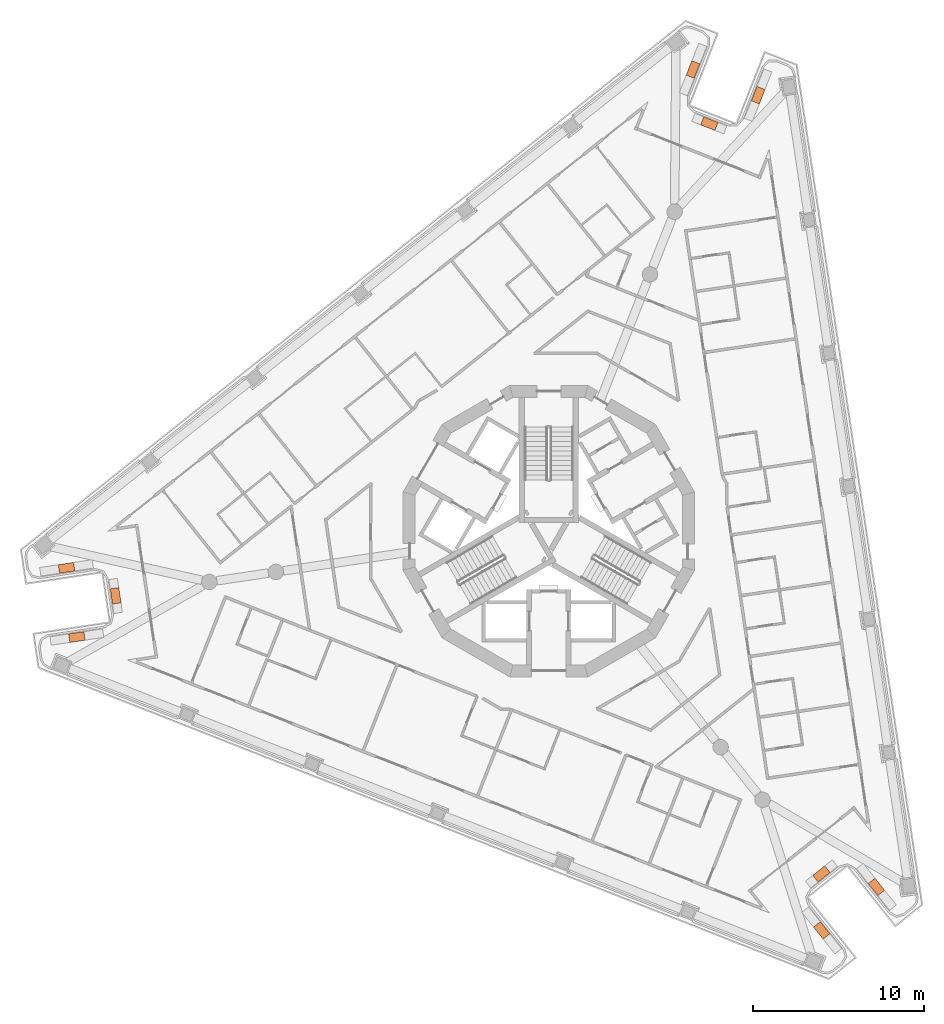
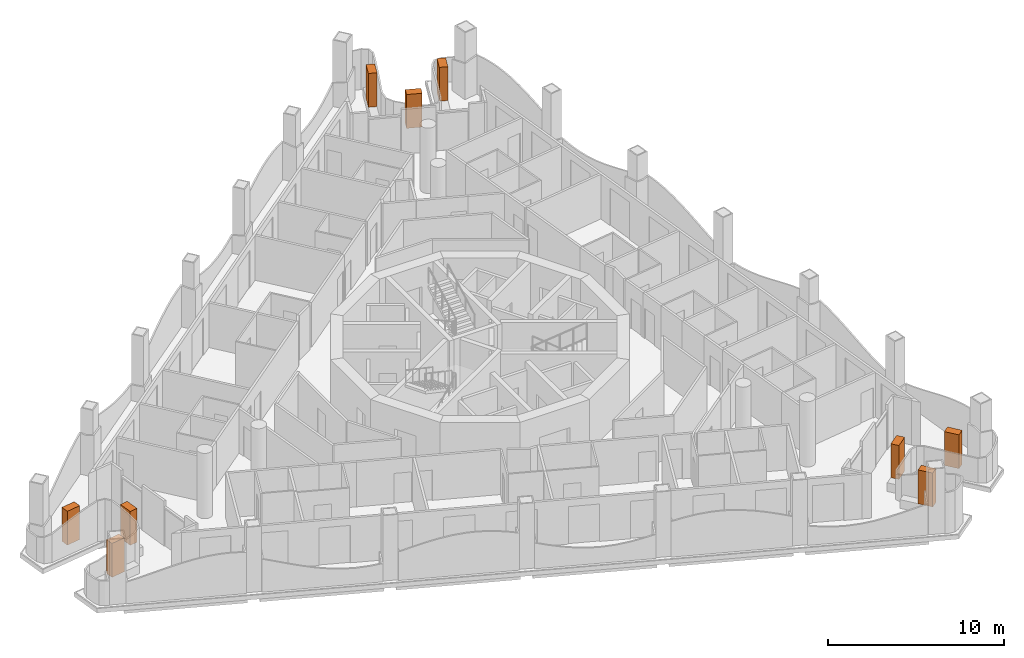
# One storey, part 16 of 16: 9 geographic elements.
"""IFC4 building model written with IfcOpenShell, lengths in metres."""

import ifcopenshell
import ifcopenshell.guid

model = None  # the IFC model being written
_history = None  # IfcOwnerHistory: only IFC2X3 demands one
_inside = {}  # id of a spatial element -> (the spatial element, [elements in it])
_under = {}  # id of a project, library or spatial element -> (it, [spatial elements below it])
_declared = {}  # id of a project -> (the project, [libraries it declares])
_typed = {}  # id of a type object -> (the type object, [elements of that type])
_made_of = {}  # id of a material, layer set ... -> (it, [elements and type objects made of it])


def new_model(schema):
    """Start an empty IFC model of exactly this schema.

    Asked for "IFC4X3", IfcOpenShell would pick the latest addendum, in which some entities
    have other attributes; the version numbers below select the first issue.
    IFC2X3 requires an IfcOwnerHistory on every rooted entity: one is made here for all.
    """
    global model, _history
    if schema == "IFC4X3":
        model = ifcopenshell.file(schema_version=(4, 3, 0, 0))
    else:
        model = ifcopenshell.file(schema=schema)
    _inside.clear()
    _under.clear()
    _declared.clear()
    _typed.clear()
    _made_of.clear()
    _history = None
    if model.schema == "IFC2X3":
        org = make("IfcOrganization", Name="unknown")
        user = make(
            "IfcPersonAndOrganization",
            ThePerson=make("IfcPerson", FamilyName="unknown"),
            TheOrganization=org,
        )
        app = make(
            "IfcApplication",
            ApplicationDeveloper=org,
            Version="unknown",
            ApplicationFullName="unknown",
            ApplicationIdentifier="unknown",
        )
        _history = make(
            "IfcOwnerHistory",
            OwningUser=user,
            OwningApplication=app,
            ChangeAction="ADDED",
            CreationDate=0,
        )
    return model


def make(cls, **values):
    """One entity of the class cls with the attributes given. An attribute that is None is left unset."""
    return model.create_entity(
        cls, **{name: value for name, value in values.items() if value is not None}
    )


def rooted(cls, **values):
    """An entity with a GlobalId (a new one), such as an element, a storey or a relation."""
    return make(cls, GlobalId=ifcopenshell.guid.new(), OwnerHistory=_history, **values)


def si_unit(unit_type, name, prefix=None):
    """IfcSIUnit, for example si_unit("LENGTHUNIT", "METRE", prefix="MILLI")."""
    return make("IfcSIUnit", UnitType=unit_type, Prefix=prefix, Name=name)


def assignment(units):
    """IfcUnitAssignment: the units of a project."""
    return None if units is None else make("IfcUnitAssignment", Units=units)


def point(xyz):
    """IfcCartesianPoint."""
    return None if xyz is None else make("IfcCartesianPoint", Coordinates=xyz)


def direction(xyz):
    """IfcDirection."""
    return None if xyz is None else make("IfcDirection", DirectionRatios=xyz)


def frame(location, z_axis=None, x_axis=None):
    """IfcAxis2Placement3D, a coordinate frame: its origin and axes. An axis left out is left unset."""
    return make(
        "IfcAxis2Placement3D",
        Location=point(location),
        Axis=direction(z_axis),
        RefDirection=direction(x_axis),
    )


def frame_2d(location, x_axis=None):
    """IfcAxis2Placement2D, a coordinate frame in the plane: its origin and x axis."""
    return make(
        "IfcAxis2Placement2D", Location=point(location), RefDirection=direction(x_axis)
    )


def origin():
    """The frame at (0, 0, 0) with its axes left unset."""
    return frame((0.0, 0.0, 0.0))


def origin_2d():
    """The frame at (0, 0) in the plane with its x axis left unset."""
    return frame_2d((0.0, 0.0))


def place(relative_to, where):
    """IfcLocalPlacement: puts the frame where relative to a parent placement (None: the world)."""
    return make(
        "IfcLocalPlacement", PlacementRelTo=relative_to, RelativePlacement=where
    )


def context(
    kind, dimensions, precision=None, world=None, true_north=None, identifier=None
):
    """IfcGeometricRepresentationContext, for example the 3D "Model" context."""
    return make(
        "IfcGeometricRepresentationContext",
        ContextIdentifier=identifier,
        ContextType=kind,
        CoordinateSpaceDimension=dimensions,
        Precision=precision,
        WorldCoordinateSystem=world,
        TrueNorth=true_north,
    )


def subcontext(parent, identifier, kind, view, scale=None):
    """IfcGeometricRepresentationSubContext, for example "Body" below "Model"."""
    return make(
        "IfcGeometricRepresentationSubContext",
        ContextIdentifier=identifier,
        ContextType=kind,
        ParentContext=parent,
        TargetScale=scale,
        TargetView=view,
    )


def project(units=None, contexts=None):
    """IfcProject with its units and contexts."""
    return rooted(
        "IfcProject",
        Name="project",
        RepresentationContexts=contexts,
        UnitsInContext=assignment(units),
    )


def spatial(cls, under=None, at=None, **own):
    """A site, building, storey or space (cls), placed at a placement, below another one or the project."""
    s = rooted(cls, ObjectPlacement=at, **own)
    if under is not None:
        _under.setdefault(under.id(), (under, []))[1].append(s)
    return s


def profile(cls, at=None, kind="AREA", **sizes):
    """A parametric profile (cls). Its sizes go by their IFC names, for example OverallWidth=200.0."""
    return make(cls, ProfileType=kind, Position=at, **sizes)


def rectangle(**sizes):
    """IfcRectangleProfileDef."""
    return profile("IfcRectangleProfileDef", **sizes)


def extrude(swept, where, along, depth):
    """IfcExtrudedAreaSolid: the profile swept, set in the frame where, extruded along a direction by depth."""
    return make(
        "IfcExtrudedAreaSolid",
        SweptArea=swept,
        Position=where,
        ExtrudedDirection=direction(along),
        Depth=depth,
    )


def shape(context_of_items, identifier, shape_type, items):
    """IfcShapeRepresentation: the items that make up one representation, for example the "Body"."""
    return make(
        "IfcShapeRepresentation",
        ContextOfItems=context_of_items,
        RepresentationIdentifier=identifier,
        RepresentationType=shape_type,
        Items=items,
    )


def made_of(thing, what):
    """Note that an element or type object is made of a material, layer set ...; save() writes the relation."""
    if what is not None:
        _made_of.setdefault(what.id(), (what, []))[1].append(thing)
    return thing


def element(
    cls,
    number,
    at=None,
    inside=None,
    cuts=None,
    type_object=None,
    material=None,
    context=None,
    identifier="Body",
    shape_type=None,
    held_by="IfcProductDefinitionShape",
    body=None,
    shapes=None,
    **own,
):
    """One element of the class cls, such as IfcWall. Its Tag is "e" and its number.

    at: its placement. inside: the storey or other place that contains it. cuts: it is an
    opening in that element (IfcRelVoidsElement). A single representation is given by context,
    identifier, shape_type and body (its items); several are given by shapes. held_by: the class
    of the entity that holds the representations. save() writes the other relations.
    """
    e = rooted(cls, Tag="e%d" % number, ObjectPlacement=at, **own)
    if body is not None:
        shapes = [shape(context, identifier, shape_type, body)]
    if shapes is not None:
        e.Representation = make(held_by, Representations=shapes)
    if inside is not None:
        _inside.setdefault(inside.id(), (inside, []))[1].append(e)
    if cuts is not None:
        rooted(
            "IfcRelVoidsElement", RelatingBuildingElement=cuts, RelatedOpeningElement=e
        )
    if type_object is not None:
        _typed.setdefault(type_object.id(), (type_object, []))[1].append(e)
    return made_of(e, material)


def aggregate(whole, parts):
    """IfcRelAggregates: a whole, such as a stair, and the parts it consists of."""
    return rooted("IfcRelAggregates", RelatingObject=whole, RelatedObjects=parts)


def save(model, path):
    """Write the relations noted so far, then the file.

    IfcRelAggregates (storeys below a building ...), IfcRelContainedInSpatialStructure (elements
    in a storey), IfcRelDefinesByType, IfcRelAssociatesMaterial and IfcRelDeclares: one each for
    every whole, place, type object, material and project.
    """
    for whole, parts in _under.values():
        aggregate(whole, parts)
    for where, things in _inside.values():
        rooted(
            "IfcRelContainedInSpatialStructure",
            RelatedElements=things,
            RelatingStructure=where,
        )
    for kind, things in _typed.values():
        rooted("IfcRelDefinesByType", RelatedObjects=things, RelatingType=kind)
    for what, things in _made_of.values():
        rooted("IfcRelAssociatesMaterial", RelatedObjects=things, RelatingMaterial=what)
    for by, libraries in _declared.values():
        rooted("IfcRelDeclares", RelatingContext=by, RelatedDefinitions=libraries)
    model.write(path)


model = new_model("IFC4")

# Units and contexts
model_context = context("Model", 3, precision=1e-05, world=origin(), true_north=direction((0.0, 1.0)))
body_context = subcontext(model_context, "Body", "Model", "MODEL_VIEW")
ifc_project = project(units=[si_unit("LENGTHUNIT", "METRE"), si_unit("AREAUNIT", "SQUARE_METRE"), si_unit("VOLUMEUNIT", "CUBIC_METRE"), si_unit("PLANEANGLEUNIT", "RADIAN"), si_unit("MASSUNIT", "GRAM", prefix="KILO")], contexts=[model_context])

# Site, building, storey
site_placement = place(None, origin())
site = spatial("IfcSite", under=ifc_project, at=site_placement, CompositionType="ELEMENT")
building_placement = place(site_placement, origin())
building = spatial("IfcBuilding", under=site, at=building_placement, Name="Trine Commons Tower", CompositionType="ELEMENT")
storey_placement = place(building_placement, frame((0.0, 0.0, 226.800048828125)))
storey = spatial("IfcBuildingStorey", under=building, at=storey_placement, Name="L59", CompositionType="ELEMENT", Elevation=226.800048828125)

# Geographic elements
for number, where, z_axis, x_axis, name in (
    (1, (52.4794921875, 56.324462890625, 0.599853515625), (0.0, 0.0, 1.0), (0.989018700917, 0.147790423361, 0.0), "Tree 1.1"),
    (2, (54.73974609375, 58.724853515625, 0.599853515625), (0.0, 0.0, 1.0), (-0.147812863445, 0.989015347404, 0.0), "Tree 2.1"),
    (3, (51.87646484375, 60.359619140625, 0.599853515625), (0.0, 0.0, 1.0), (-0.989014831433, -0.147816315759, 0.0), "Tree 3.1"),
    (4, (88.412109375, 89.421142578125, 0.599853515625), (0.0, 0.0, 1.0), (-0.366494731175, -0.930420126621, 0.0), "Tree 4.1"),
    (5, (89.360595703125, 86.263671875, 0.599853515625), (0.0, 0.0, 1.0), (0.930416928315, -0.366502850609, 0.0), "Tree 5.1"),
    (6, (92.2080078125, 87.92578125, 0.599853515625), (0.0, 0.0, 1.0), (0.366520713264, 0.930409891794, 0.0), "Tree 6.1"),
    (7, (99.1083984375, 41.75439453125, 0.599853515625), (0.0, 0.0, 1.0), (-0.622516002546, 0.782607070358, 0.0), "Tree 7.1"),
    (8, (95.899658203125, 42.511474609375, 0.599853515625), (0.0, 0.0, 1.0), (-0.782586426516, -0.622541954437, 0.0), "Tree 8.1"),
    (9, (95.915283203125, 39.214599609375, 0.599853515625), (0.0, 0.0, 1.0), (0.622516002546, -0.782607070358, 0.0), "Tree 9.1"),
):
    element("IfcGeographicElement", number, at=place(storey_placement, frame(where, z_axis=z_axis, x_axis=x_axis)), inside=storey, Name=name, ObjectType="TREE Tabebuia rosea", PredefinedType="USERDEFINED", context=body_context, shape_type="SweptSolid", body=[
        extrude(rectangle(XDim=0.89990234375, YDim=0.5, at=origin_2d()), origin(), (0.0, 0.0, 1.0), 2.35009765625),
    ])

save(model, "model.ifc")
